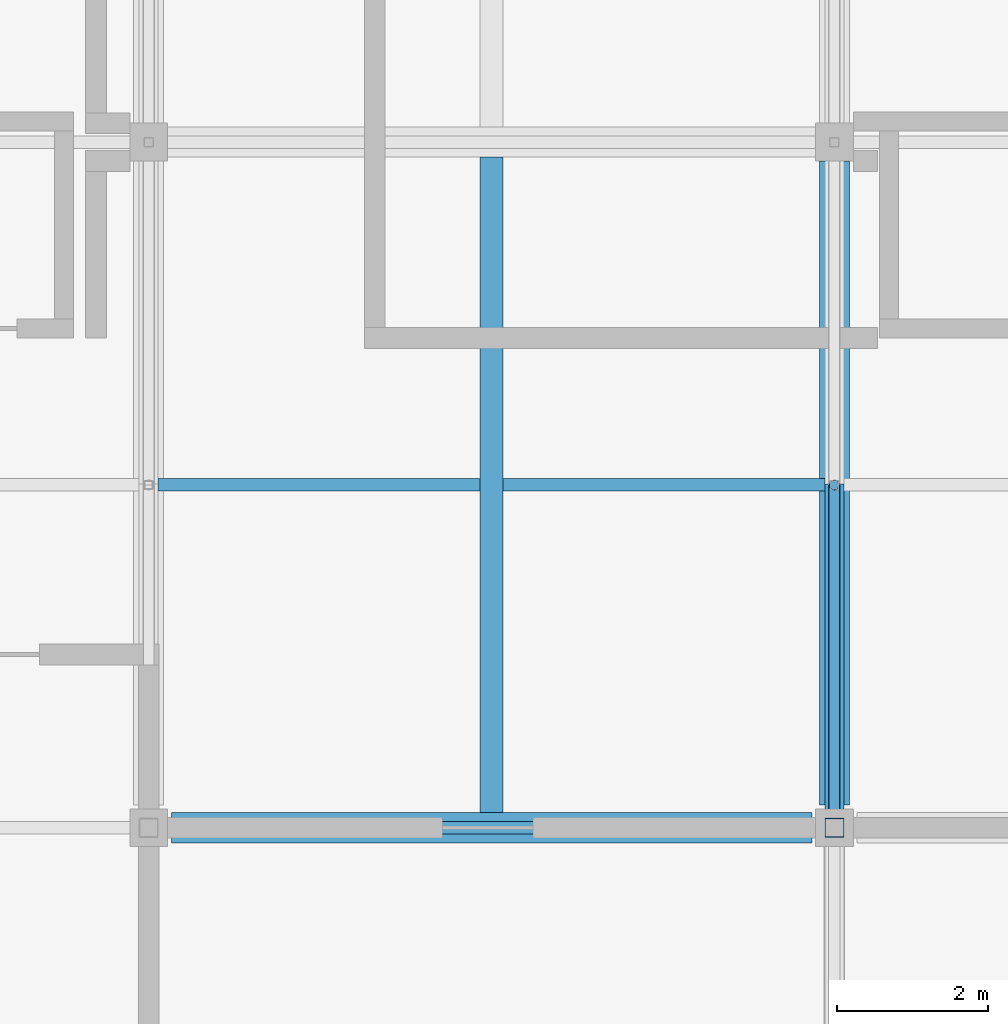
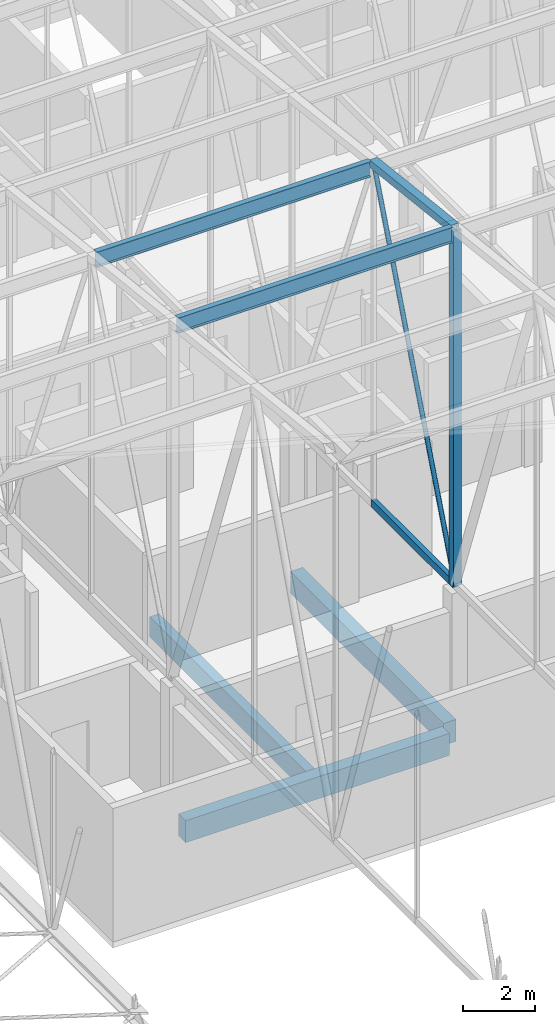
# One storey, part 288 of 500: 6 members, 3 beams.
"""IFC4 building model written with IfcOpenShell, lengths in metres."""

from ifc_helpers import new_model, si_unit, direction, frame, origin, origin_2d, place, context, subcontext, project, spatial, rectangle, hollow_rectangle, hollow_circle, i_section, extrude, material, material_profile, profile_set, type_object, element, save


model = new_model("IFC4")

# Units and contexts
model_context = context("Model", 3, precision=1e-05, world=origin(), true_north=direction((0.0, 1.0)))
body_context = subcontext(model_context, "Body", "Model", "MODEL_VIEW")
ifc_project = project(units=[si_unit("LENGTHUNIT", "METRE"), si_unit("AREAUNIT", "SQUARE_METRE"), si_unit("VOLUMEUNIT", "CUBIC_METRE"), si_unit("PLANEANGLEUNIT", "RADIAN"), si_unit("MASSUNIT", "GRAM", prefix="KILO")], contexts=[model_context])

# Site, building, storey
site_placement = place(None, origin())
site = spatial("IfcSite", under=ifc_project, at=site_placement, CompositionType="ELEMENT")
building_placement = place(site_placement, origin())
building = spatial("IfcBuilding", under=site, at=building_placement, Name="Shirokan Park Arena", CompositionType="ELEMENT")
storey_placement = place(building_placement, frame((0.0, 0.0, 29.1201171875)))
storey = spatial("IfcBuildingStorey", under=building, at=storey_placement, Name="L06", CompositionType="ELEMENT", Elevation=29.1201171875)

# Members
ifc_material_1 = material(Name="Steel ASTM A500 Grade C", Category="steel")
ifc_material_profile_1 = material_profile(ifc_material_1, hollow_rectangle(XDim=0.152099609375, YDim=0.25390625, WallThickness=0.009521484375, at=origin_2d()), Name="HSS254X152.4X9.5")
ifc_profile_set_1 = profile_set([ifc_material_profile_1], Name="Steel ASTM A500 Grade C")
member_type_1 = type_object("IfcMemberType", Name="Bottom chord HSS254X152.4X9.5", PredefinedType="CHORD", material=ifc_profile_set_1)
member_1_placement = place(storey_placement, frame((118.300048828125, 72.800048828125, 4.677001953125), z_axis=(0.0, 1.0, 0.0), x_axis=(-1.0, 0.0, 0.0)))
element("IfcMember", 1, at=member_1_placement, inside=storey, type_object=member_type_1, Name="Truss T14 bottom chord 19", PredefinedType="CHORD", context=body_context, shape_type="SweptSolid", body=[
    extrude(hollow_rectangle(XDim=0.152099609375, YDim=0.25390625, WallThickness=0.009521484375, at=origin_2d()), origin(), (0.0, 0.0, 1.0), 4.550048828125),
])
ifc_material_2 = material(Name="Steel ASTM A992", Category="steel")
ifc_material_profile_2 = material_profile(ifc_material_2, i_section(OverallWidth=0.166015625, OverallDepth=0.528076171875, WebThickness=0.009765625, FlangeThickness=0.013671875, at=origin_2d()), Name="W530X74")
ifc_profile_set_2 = profile_set([ifc_material_profile_2], Name="Steel ASTM A992")
member_type_2 = type_object("IfcMemberType", Name="Purlin W530X74", PredefinedType="PURLIN", material=ifc_profile_set_2)
for number, where, z_axis, x_axis, name in (
    (2, (109.326904296875, 72.800048828125, 16.64599609375), (1.0, 0.0, 0.0), (0.0, 1.0, 0.0), "Purlin 19 bay 13"),
    (3, (109.326904296875, 77.35009765625, 16.1259765625), (1.0, 0.0, 0.0), (0.0, 1.0, 0.0), "Purlin 20 bay 13"),
):
    element("IfcMember", number, at=place(storey_placement, frame(where, z_axis=z_axis, x_axis=x_axis)), inside=storey, type_object=member_type_2, Name=name, PredefinedType="PURLIN", context=body_context, shape_type="SweptSolid", body=[
        extrude(i_section(OverallWidth=0.166015625, OverallDepth=0.528076171875, WebThickness=0.009765625, FlangeThickness=0.013671875, at=origin_2d()), origin(), (0.0, 0.0, 1.0), 8.84619140625),
    ])

# Beams
ifc_material_3 = material(Name="Concrete C35", Category="concrete")
ifc_material_profile_3 = material_profile(ifc_material_3, rectangle(XDim=0.39990234375, YDim=0.75, at=origin_2d()), Name="400x750")
ifc_profile_set_3 = profile_set([ifc_material_profile_3], Name="Concrete C35")
beam_type_1 = type_object("IfcBeamType", Name="RC girder 400x750", PredefinedType="BEAM", material=ifc_profile_set_3)
beam_1_placement = place(storey_placement, frame((109.5, 72.800048828125, -0.5751953125), z_axis=(1.0, 0.0, 0.0), x_axis=(0.0, 1.0, 0.0)))
element("IfcBeam", 4, at=beam_1_placement, inside=storey, type_object=beam_type_1, Name="Girder 13J-14J L06", PredefinedType="BEAM", context=body_context, shape_type="SweptSolid", body=[
    extrude(rectangle(XDim=0.39990234375, YDim=0.75, at=origin_2d()), origin(), (0.0, 0.0, 1.0), 8.5),
])
beam_2_placement = place(storey_placement, frame((118.300048828125, 73.10009765625, -0.5751953125), z_axis=(0.0, 1.0, 0.0), x_axis=(-1.0, 0.0, 0.0)))
element("IfcBeam", 5, at=beam_2_placement, inside=storey, type_object=beam_type_1, Name="Girder 14J-14K L06", PredefinedType="BEAM", context=body_context, shape_type="SweptSolid", body=[
    extrude(rectangle(XDim=0.39990234375, YDim=0.75, at=origin_2d()), origin(), (0.0, 0.0, 1.0), 8.5498046875),
])
ifc_material_profile_4 = material_profile(ifc_material_3, rectangle(XDim=0.300048828125, YDim=0.699951171875, at=origin_2d()), Name="300x700")
ifc_profile_set_4 = profile_set([ifc_material_profile_4], Name="Concrete C35")
beam_type_2 = type_object("IfcBeamType", Name="RC joist 300x700", PredefinedType="JOIST", material=ifc_profile_set_4)
beam_3_placement = place(storey_placement, frame((113.75, 73.0, -0.550048828125), z_axis=(0.0, 1.0, 0.0), x_axis=(-1.0, 0.0, 0.0)))
element("IfcBeam", 6, at=beam_3_placement, inside=storey, type_object=beam_type_2, Name="Joist 13J L06", PredefinedType="JOIST", context=body_context, shape_type="SweptSolid", body=[
    extrude(rectangle(XDim=0.300048828125, YDim=0.699951171875, at=origin_2d()), origin(), (0.0, 0.0, 1.0), 8.699951171875),
])

# Members
ifc_material_profile_5 = material_profile(ifc_material_1, hollow_rectangle(XDim=0.25390625, YDim=0.25390625, WallThickness=0.009521484375, at=origin_2d()), Name="HSS254X254X9.5")
ifc_profile_set_5 = profile_set([ifc_material_profile_5], Name="Steel ASTM A500 Grade C")
member_type_3 = type_object("IfcMemberType", Name="Top chord HSS254X254X9.5", PredefinedType="CHORD", material=ifc_profile_set_5)
member_2_placement = place(storey_placement, frame((118.300048828125, 72.800048828125, 16.782958984375), z_axis=(0.0, 0.993532328996, -0.113549598152), x_axis=(-1.0, 0.0, 0.0)))
element("IfcMember", 7, at=member_2_placement, inside=storey, type_object=member_type_3, Name="Truss T14 top chord 19", PredefinedType="CHORD", context=body_context, shape_type="SweptSolid", body=[
    extrude(hollow_rectangle(XDim=0.25390625, YDim=0.25390625, WallThickness=0.009521484375, at=origin_2d()), origin(), (0.0, 0.0, 1.0), 4.57958984375),
])
ifc_material_profile_6 = material_profile(ifc_material_1, hollow_circle(Radius=0.070556640625, WallThickness=0.006591796875, at=origin_2d()), Name="HSS141.3X6.6")
ifc_profile_set_6 = profile_set([ifc_material_profile_6], Name="Steel ASTM A500 Grade C")
member_type_4 = type_object("IfcMemberType", Name="Truss diagonal HSS141.3X6.6", PredefinedType="BRACE", material=ifc_profile_set_6)
member_3_placement = place(storey_placement, frame((118.300048828125, 72.800048828125, 4.677001953125), z_axis=(0.0, 0.365543139237, 0.930794399079), x_axis=(-1.0, 0.0, 0.0)))
element("IfcMember", 8, at=member_3_placement, inside=storey, type_object=member_type_4, Name="Truss T14 diagonal 19", PredefinedType="BRACE", context=body_context, shape_type="SweptSolid", body=[
    extrude(hollow_circle(Radius=0.070556640625, WallThickness=0.006591796875, at=origin_2d()), origin(), (0.0, 0.0, 1.0), 12.447265625),
])
ifc_material_profile_7 = material_profile(ifc_material_1, hollow_rectangle(XDim=0.25390625, YDim=0.25390625, WallThickness=0.009521484375, at=origin_2d()), Name="HSS254X254X9.5")
ifc_profile_set_7 = profile_set([ifc_material_profile_7], Name="Steel ASTM A500 Grade C")
member_type_5 = type_object("IfcMemberType", Name="Truss post HSS254X254X9.5", PredefinedType="POST", material=ifc_profile_set_7)
member_4_placement = place(storey_placement, frame((118.300048828125, 72.800048828125, 4.677001953125), z_axis=(0.0, 0.0, 1.0), x_axis=(1.0, 0.0, 0.0)))
element("IfcMember", 9, at=member_4_placement, inside=storey, type_object=member_type_5, Name="Truss T14 post 19", PredefinedType="POST", context=body_context, shape_type="SweptSolid", body=[
    extrude(hollow_rectangle(XDim=0.25390625, YDim=0.25390625, WallThickness=0.009521484375, at=origin_2d()), origin(), (0.0, 0.0, 1.0), 12.10595703125),
])

save(model, "model.ifc")
